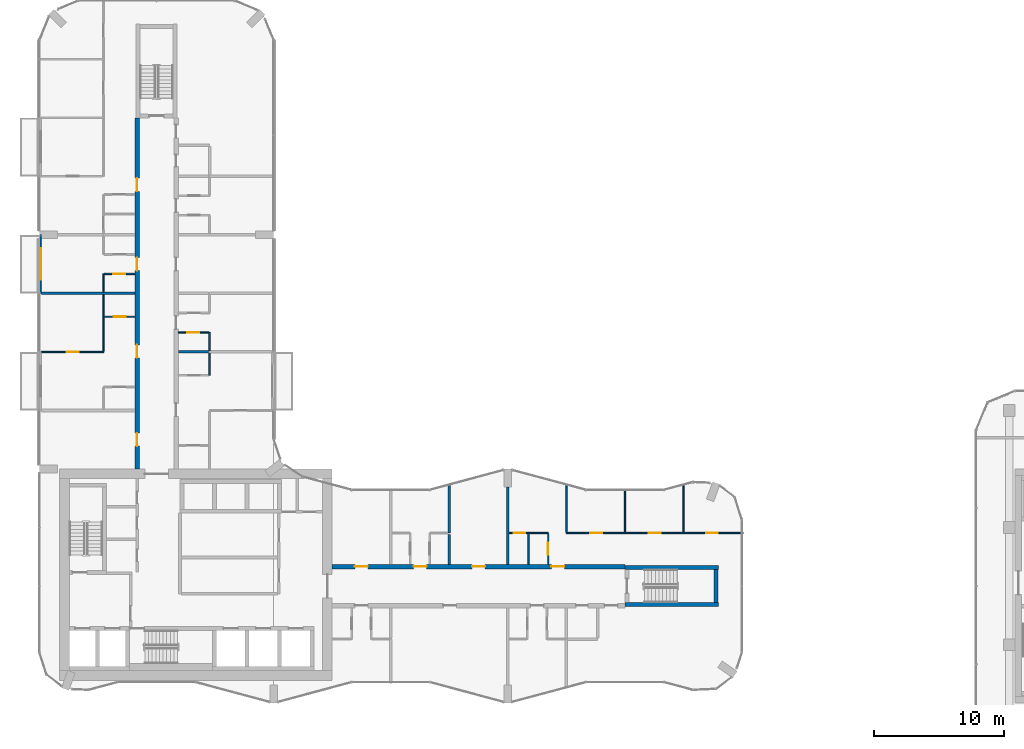
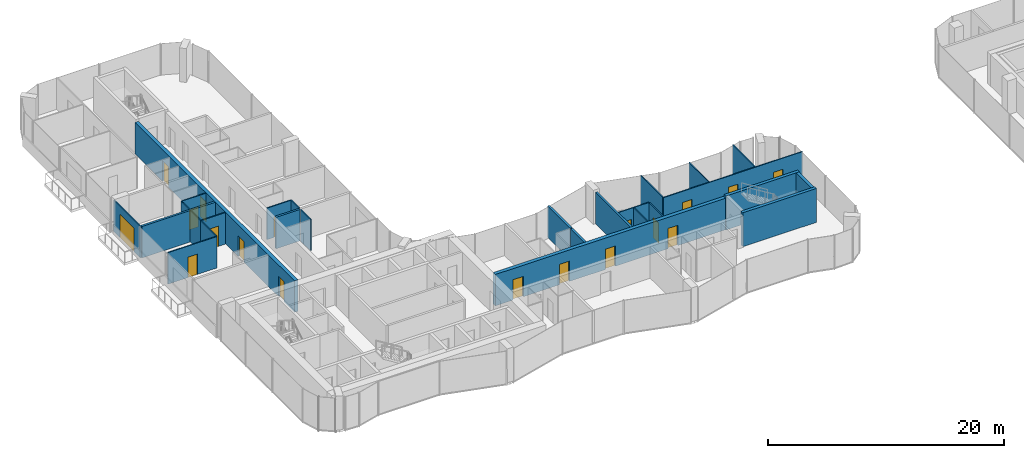
# One storey, part 15 of 22: 27 walls, 18 doors, 18 openings.
"""IFC4 building model written with IfcOpenShell, lengths in metres."""

from ifc_helpers import new_model, si_unit, direction, frame, frame_2d, origin, place, context, subcontext, project, spatial, rectangle, extrude, material, layer, layer_set, type_object, element, fill, save


model = new_model("IFC4")

# Units and contexts
model_context = context("Model", 3, precision=1e-05, world=origin(), true_north=direction((0.0, 1.0)))
body_context = subcontext(model_context, "Body", "Model", "MODEL_VIEW")
ifc_project = project(units=[si_unit("LENGTHUNIT", "METRE"), si_unit("AREAUNIT", "SQUARE_METRE"), si_unit("VOLUMEUNIT", "CUBIC_METRE"), si_unit("PLANEANGLEUNIT", "RADIAN"), si_unit("MASSUNIT", "GRAM", prefix="KILO")], contexts=[model_context])

# Site, building, storey
site_placement = place(None, origin())
site = spatial("IfcSite", under=ifc_project, at=site_placement, CompositionType="ELEMENT")
building_placement = place(site_placement, origin())
building = spatial("IfcBuilding", under=site, at=building_placement, Name="Plateau Cross Towers", CompositionType="ELEMENT")
storey_placement = place(building_placement, frame((0.0, 0.0, 58.300048828125)))
storey = spatial("IfcBuildingStorey", under=building, at=storey_placement, Name="L14", CompositionType="ELEMENT", Elevation=58.300048828125)

# Wall, opening, door
ifc_material_1 = material(Name="Aluminium framed glazing", Category="aluminium")
ifc_layer_1 = layer(ifc_material_1, 0.10009765625)
ifc_layer_set_1 = layer_set([ifc_layer_1], Name="Aluminium framed glazing")
wall_type_1 = type_object("IfcWallType", Name="Balcony screen wall 100", PredefinedType="STANDARD", material=ifc_layer_set_1)
wall_1_placement = place(storey_placement, frame((0.10009765625, 31.5, 0.0), z_axis=(0.0, 0.0, 1.0), x_axis=(0.0, 1.0, 0.0)))
wall_1 = element("IfcWall", 1, at=wall_1_placement, inside=storey, type_object=wall_type_1, Name="Balcony screen wall A-BAL-L14-02", PredefinedType="STANDARD", context=body_context, shape_type="SweptSolid", body=[
    extrude(rectangle(XDim=4.5, YDim=0.10009765625, at=frame_2d((2.25, 0.0))), origin(), (0.0, 0.0, 1.0), 3.25),
])
opening_1_placement = place(wall_1_placement, frame((1.050048828125, 0.0, 0.0)))
opening_1 = element("IfcOpeningElement", 2, at=opening_1_placement, cuts=wall_1, Name="Opening D-B24", PredefinedType="OPENING", context=body_context, shape_type="SweptSolid", body=[
    extrude(rectangle(XDim=2.39990234375, YDim=2.39990234375, at=frame_2d((1.199951171875, 1.199951171875))), frame((0.0, 0.06005859375, 0.0), z_axis=(0.0, -1.0, 0.0), x_axis=(1.0, 0.0, 0.0)), (0.0, 0.0, 1.0), 0.1201171875),
])
ifc_material_2 = material(Name="Aluminium frame, double glazing", Category="aluminium")
door_type_1 = type_object("IfcDoorType", Name="Balcony sliding door 2400", OperationType="NOTDEFINED", PredefinedType="DOOR", material=ifc_material_2)
door_1_placement = place(opening_1_placement, origin())
door_1 = element("IfcDoor", 3, at=door_1_placement, inside=storey, type_object=door_type_1, Name="Balcony door A-BAL-L14-02", OperationType="SINGLE_SWING_LEFT", OverallHeight=2.39990234375, OverallWidth=2.39990234375, PredefinedType="DOOR", context=body_context, shape_type="SweptSolid", body=[
    extrude(rectangle(XDim=2.39990234375, YDim=2.39990234375, at=frame_2d((1.199951171875, 1.199951171875))), frame((0.0, 0.02490234375, 0.0), z_axis=(0.0, -1.0, 0.0), x_axis=(1.0, 0.0, 0.0)), (0.0, 0.0, 1.0), 0.050048828125),
])
fill(opening_1, door_1)

# Wall, openings, doors
ifc_material_3 = material(Name="Concrete C60/75", Category="concrete")
ifc_layer_2 = layer(ifc_material_3, 0.35009765625)
ifc_layer_set_2 = layer_set([ifc_layer_2], Name="Concrete C60/75")
wall_type_2 = type_object("IfcWallType", Name="Corridor wall 350", PredefinedType="SHEAR", material=ifc_layer_set_2)
wall_2_placement = place(storey_placement, frame((22.5, 10.5, 0.0), z_axis=(0.0, 0.0, 1.0), x_axis=(1.0, 0.0, 0.0)))
wall_2 = element("IfcWall", 4, at=wall_2_placement, inside=storey, type_object=wall_type_2, Name="A-cw-S2@L14", PredefinedType="SHEAR", context=body_context, shape_type="SweptSolid", body=[
    extrude(rectangle(XDim=22.5, YDim=0.35009765625, at=frame_2d((11.25, 0.0))), origin(), (0.0, 0.0, 1.0), 3.25),
])
opening_2_placement = place(wall_2_placement, frame((1.75, 0.0, 0.0)))
opening_2 = element("IfcOpeningElement", 5, at=opening_2_placement, cuts=wall_2, Name="Opening 14-06", PredefinedType="OPENING", context=body_context, shape_type="SweptSolid", body=[
    extrude(rectangle(XDim=1.0, YDim=2.10009765625, at=frame_2d((0.5, 1.050048828125))), frame((0.0, 0.18505859375, 0.0), z_axis=(0.0, -1.0, 0.0), x_axis=(1.0, 0.0, 0.0)), (0.0, 0.0, 1.0), 0.3701171875),
])
opening_3_placement = place(wall_2_placement, frame((6.25, 0.0, 0.0)))
opening_3 = element("IfcOpeningElement", 6, at=opening_3_placement, cuts=wall_2, Name="Opening 14-07", PredefinedType="OPENING", context=body_context, shape_type="SweptSolid", body=[
    extrude(rectangle(XDim=1.0, YDim=2.10009765625, at=frame_2d((0.5, 1.050048828125))), frame((0.0, 0.18505859375, 0.0), z_axis=(0.0, -1.0, 0.0), x_axis=(1.0, 0.0, 0.0)), (0.0, 0.0, 1.0), 0.3701171875),
])
opening_4_placement = place(wall_2_placement, frame((10.75, 0.0, 0.0)))
opening_4 = element("IfcOpeningElement", 7, at=opening_4_placement, cuts=wall_2, Name="Opening 14-08", PredefinedType="OPENING", context=body_context, shape_type="SweptSolid", body=[
    extrude(rectangle(XDim=1.0, YDim=2.10009765625, at=frame_2d((0.5, 1.050048828125))), frame((0.0, 0.18505859375, 0.0), z_axis=(0.0, -1.0, 0.0), x_axis=(1.0, 0.0, 0.0)), (0.0, 0.0, 1.0), 0.3701171875),
])
opening_5_placement = place(wall_2_placement, frame((16.85009765625, 0.0, 0.0)))
opening_5 = element("IfcOpeningElement", 8, at=opening_5_placement, cuts=wall_2, Name="Opening 14-09", PredefinedType="OPENING", context=body_context, shape_type="SweptSolid", body=[
    extrude(rectangle(XDim=1.0, YDim=2.10009765625, at=frame_2d((0.5, 1.050048828125))), frame((0.0, 0.18505859375, 0.0), z_axis=(0.0, -1.0, 0.0), x_axis=(1.0, 0.0, 0.0)), (0.0, 0.0, 1.0), 0.3701171875),
])
ifc_material_4 = material(Name="Timber, fire-resisting leaf", Category="wood")
door_type_2 = type_object("IfcDoorType", Name="Flat entrance door 1000", OperationType="NOTDEFINED", PredefinedType="DOOR", material=ifc_material_4)
door_2_placement = place(opening_2_placement, origin())
door_2 = element("IfcDoor", 9, at=door_2_placement, inside=storey, type_object=door_type_2, Name="Door 14-06", OperationType="SINGLE_SWING_LEFT", OverallHeight=2.10009765625, OverallWidth=1.0, PredefinedType="DOOR", context=body_context, shape_type="SweptSolid", body=[
    extrude(rectangle(XDim=1.0, YDim=2.10009765625, at=frame_2d((0.5, 1.050048828125))), frame((0.0, 0.02490234375, 0.0), z_axis=(0.0, -1.0, 0.0), x_axis=(1.0, 0.0, 0.0)), (0.0, 0.0, 1.0), 0.050048828125),
])
fill(opening_2, door_2)
door_3_placement = place(opening_3_placement, origin())
door_3 = element("IfcDoor", 10, at=door_3_placement, inside=storey, type_object=door_type_2, Name="Door 14-07", OperationType="SINGLE_SWING_LEFT", OverallHeight=2.10009765625, OverallWidth=1.0, PredefinedType="DOOR", context=body_context, shape_type="SweptSolid", body=[
    extrude(rectangle(XDim=1.0, YDim=2.10009765625, at=frame_2d((0.5, 1.050048828125))), frame((0.0, 0.02490234375, 0.0), z_axis=(0.0, -1.0, 0.0), x_axis=(1.0, 0.0, 0.0)), (0.0, 0.0, 1.0), 0.050048828125),
])
fill(opening_3, door_3)
door_4_placement = place(opening_4_placement, origin())
door_4 = element("IfcDoor", 11, at=door_4_placement, inside=storey, type_object=door_type_2, Name="Door 14-08", OperationType="SINGLE_SWING_LEFT", OverallHeight=2.10009765625, OverallWidth=1.0, PredefinedType="DOOR", context=body_context, shape_type="SweptSolid", body=[
    extrude(rectangle(XDim=1.0, YDim=2.10009765625, at=frame_2d((0.5, 1.050048828125))), frame((0.0, 0.02490234375, 0.0), z_axis=(0.0, -1.0, 0.0), x_axis=(1.0, 0.0, 0.0)), (0.0, 0.0, 1.0), 0.050048828125),
])
fill(opening_4, door_4)
door_5_placement = place(opening_5_placement, origin())
door_5 = element("IfcDoor", 12, at=door_5_placement, inside=storey, type_object=door_type_2, Name="Door 14-09", OperationType="SINGLE_SWING_RIGHT", OverallHeight=2.10009765625, OverallWidth=1.0, PredefinedType="DOOR", context=body_context, shape_type="SweptSolid", body=[
    extrude(rectangle(XDim=1.0, YDim=2.10009765625, at=frame_2d((0.5, 1.050048828125))), frame((0.0, 0.02490234375, 0.0), z_axis=(0.0, -1.0, 0.0), x_axis=(1.0, 0.0, 0.0)), (0.0, 0.0, 1.0), 0.050048828125),
])
fill(opening_5, door_5)

wall_3_placement = place(storey_placement, frame((7.5, 18.0, 0.0), z_axis=(0.0, 0.0, 1.0), x_axis=(0.0, 1.0, 0.0)))
wall_3 = element("IfcWall", 13, at=wall_3_placement, inside=storey, type_object=wall_type_2, Name="A-cw-W1@L14", PredefinedType="SHEAR", context=body_context, shape_type="SweptSolid", body=[
    extrude(rectangle(XDim=27.0, YDim=0.35009765625, at=frame_2d((13.5, 0.0))), origin(), (0.0, 0.0, 1.0), 3.25),
])
opening_6_placement = place(wall_3_placement, frame((1.75, 0.0, 0.0)))
opening_6 = element("IfcOpeningElement", 14, at=opening_6_placement, cuts=wall_3, Name="Opening 14-10", PredefinedType="OPENING", context=body_context, shape_type="SweptSolid", body=[
    extrude(rectangle(XDim=1.0, YDim=2.10009765625, at=frame_2d((0.5, 1.050048828125))), frame((0.0, 0.18505859375, 0.0), z_axis=(0.0, -1.0, 0.0), x_axis=(1.0, 0.0, 0.0)), (0.0, 0.0, 1.0), 0.3701171875),
])
opening_7_placement = place(wall_3_placement, frame((8.550048828125, 0.0, 0.0)))
opening_7 = element("IfcOpeningElement", 15, at=opening_7_placement, cuts=wall_3, Name="Opening 14-11", PredefinedType="OPENING", context=body_context, shape_type="SweptSolid", body=[
    extrude(rectangle(XDim=1.0, YDim=2.10009765625, at=frame_2d((0.5, 1.050048828125))), frame((0.0, 0.18505859375, 0.0), z_axis=(0.0, -1.0, 0.0), x_axis=(1.0, 0.0, 0.0)), (0.0, 0.0, 1.0), 0.3701171875),
])
opening_8_placement = place(wall_3_placement, frame((15.25, 0.0, 0.0)))
opening_8 = element("IfcOpeningElement", 16, at=opening_8_placement, cuts=wall_3, Name="Opening 14-12", PredefinedType="OPENING", context=body_context, shape_type="SweptSolid", body=[
    extrude(rectangle(XDim=1.0, YDim=2.10009765625, at=frame_2d((0.5, 1.050048828125))), frame((0.0, 0.18505859375, 0.0), z_axis=(0.0, -1.0, 0.0), x_axis=(1.0, 0.0, 0.0)), (0.0, 0.0, 1.0), 0.3701171875),
])
opening_9_placement = place(wall_3_placement, frame((21.35009765625, 0.0, 0.0)))
opening_9 = element("IfcOpeningElement", 17, at=opening_9_placement, cuts=wall_3, Name="Opening 14-13", PredefinedType="OPENING", context=body_context, shape_type="SweptSolid", body=[
    extrude(rectangle(XDim=1.0, YDim=2.10009765625, at=frame_2d((0.5, 1.050048828125))), frame((0.0, 0.18505859375, 0.0), z_axis=(0.0, -1.0, 0.0), x_axis=(1.0, 0.0, 0.0)), (0.0, 0.0, 1.0), 0.3701171875),
])
door_6_placement = place(opening_6_placement, origin())
door_6 = element("IfcDoor", 18, at=door_6_placement, inside=storey, type_object=door_type_2, Name="Door 14-10", OperationType="SINGLE_SWING_LEFT", OverallHeight=2.10009765625, OverallWidth=1.0, PredefinedType="DOOR", context=body_context, shape_type="SweptSolid", body=[
    extrude(rectangle(XDim=1.0, YDim=2.10009765625, at=frame_2d((0.5, 1.050048828125))), frame((0.0, 0.02490234375, 0.0), z_axis=(0.0, -1.0, 0.0), x_axis=(1.0, 0.0, 0.0)), (0.0, 0.0, 1.0), 0.050048828125),
])
fill(opening_6, door_6)
door_7_placement = place(opening_7_placement, origin())
door_7 = element("IfcDoor", 19, at=door_7_placement, inside=storey, type_object=door_type_2, Name="Door 14-11", OperationType="SINGLE_SWING_LEFT", OverallHeight=2.10009765625, OverallWidth=1.0, PredefinedType="DOOR", context=body_context, shape_type="SweptSolid", body=[
    extrude(rectangle(XDim=1.0, YDim=2.10009765625, at=frame_2d((0.5, 1.050048828125))), frame((0.0, 0.02490234375, 0.0), z_axis=(0.0, -1.0, 0.0), x_axis=(1.0, 0.0, 0.0)), (0.0, 0.0, 1.0), 0.050048828125),
])
fill(opening_7, door_7)
door_8_placement = place(opening_8_placement, origin())
door_8 = element("IfcDoor", 20, at=door_8_placement, inside=storey, type_object=door_type_2, Name="Door 14-12", OperationType="SINGLE_SWING_RIGHT", OverallHeight=2.10009765625, OverallWidth=1.0, PredefinedType="DOOR", context=body_context, shape_type="SweptSolid", body=[
    extrude(rectangle(XDim=1.0, YDim=2.10009765625, at=frame_2d((0.5, 1.050048828125))), frame((0.0, 0.02490234375, 0.0), z_axis=(0.0, -1.0, 0.0), x_axis=(1.0, 0.0, 0.0)), (0.0, 0.0, 1.0), 0.050048828125),
])
fill(opening_8, door_8)
door_9_placement = place(opening_9_placement, origin())
door_9 = element("IfcDoor", 21, at=door_9_placement, inside=storey, type_object=door_type_2, Name="Door 14-13", OperationType="SINGLE_SWING_RIGHT", OverallHeight=2.10009765625, OverallWidth=1.0, PredefinedType="DOOR", context=body_context, shape_type="SweptSolid", body=[
    extrude(rectangle(XDim=1.0, YDim=2.10009765625, at=frame_2d((0.5, 1.050048828125))), frame((0.0, 0.02490234375, 0.0), z_axis=(0.0, -1.0, 0.0), x_axis=(1.0, 0.0, 0.0)), (0.0, 0.0, 1.0), 0.050048828125),
])
fill(opening_9, door_9)

# Wall, opening, door
ifc_material_5 = material(Name="Gypsum board on steel studs", Category="steel")
ifc_layer_3 = layer(ifc_material_5, 0.10009765625)
ifc_layer_set_3 = layer_set([ifc_layer_3], Name="Gypsum board on steel studs")
wall_type_3 = type_object("IfcWallType", Name="Flat partition 100", PredefinedType="PARTITIONING", material=ifc_layer_set_3)
wall_4_placement = place(storey_placement, frame((39.10009765625, 13.074951171875, 0.0), z_axis=(0.0, 0.0, 1.0), x_axis=(-1.0, 0.0, 0.0)))
wall_4 = element("IfcWall", 22, at=wall_4_placement, inside=storey, type_object=wall_type_3, Name="Partition wall", PredefinedType="PARTITIONING", context=body_context, shape_type="SweptSolid", body=[
    extrude(rectangle(XDim=3.0, YDim=0.10009765625, at=frame_2d((1.5, 0.0))), origin(), (0.0, 0.0, 1.0), 3.25),
])
opening_10_placement = place(wall_4_placement, frame((1.75, 0.0, 0.0)))
opening_10 = element("IfcOpeningElement", 23, at=opening_10_placement, cuts=wall_4, Name="Opening 14-26", PredefinedType="OPENING", context=body_context, shape_type="SweptSolid", body=[
    extrude(rectangle(XDim=0.89990234375, YDim=2.10009765625, at=frame_2d((0.449951171875, 1.050048828125))), frame((0.0, 0.06005859375, 0.0), z_axis=(0.0, -1.0, 0.0), x_axis=(1.0, 0.0, 0.0)), (0.0, 0.0, 1.0), 0.1201171875),
])
ifc_material_6 = material(Name="Timber leaf", Category="wood")
door_type_3 = type_object("IfcDoorType", Name="Flat room door 900", OperationType="NOTDEFINED", PredefinedType="DOOR", material=ifc_material_6)
door_10_placement = place(opening_10_placement, origin())
door_10 = element("IfcDoor", 24, at=door_10_placement, inside=storey, type_object=door_type_3, Name="Door 14-26", OperationType="SINGLE_SWING_RIGHT", OverallHeight=2.10009765625, OverallWidth=0.89990234375, PredefinedType="DOOR", context=body_context, shape_type="SweptSolid", body=[
    extrude(rectangle(XDim=0.89990234375, YDim=2.10009765625, at=frame_2d((0.449951171875, 1.050048828125))), frame((0.0, 0.02490234375, 0.0), z_axis=(0.0, -1.0, 0.0), x_axis=(1.0, 0.0, 0.0)), (0.0, 0.0, 1.0), 0.050048828125),
])
fill(opening_10, door_10)

# Wall, openings, doors
wall_5_placement = place(storey_placement, frame((40.5, 13.074951171875, 0.0), z_axis=(0.0, 0.0, 1.0), x_axis=(1.0, 0.0, 0.0)))
wall_5 = element("IfcWall", 25, at=wall_5_placement, inside=storey, type_object=wall_type_3, Name="Partition wall", PredefinedType="PARTITIONING", context=body_context, shape_type="SweptSolid", body=[
    extrude(rectangle(XDim=13.580078125, YDim=0.10009765625, at=frame_2d((6.7900390625, 0.0))), origin(), (0.0, 0.0, 1.0), 3.25),
])
opening_11_placement = place(wall_5_placement, frame((1.85009765625, 0.0, 0.0)))
opening_11 = element("IfcOpeningElement", 26, at=opening_11_placement, cuts=wall_5, Name="Opening 14-28", PredefinedType="OPENING", context=body_context, shape_type="SweptSolid", body=[
    extrude(rectangle(XDim=0.89990234375, YDim=2.10009765625, at=frame_2d((0.449951171875, 1.050048828125))), frame((0.0, 0.06005859375, 0.0), z_axis=(0.0, -1.0, 0.0), x_axis=(1.0, 0.0, 0.0)), (0.0, 0.0, 1.0), 0.1201171875),
])
opening_12_placement = place(wall_5_placement, frame((6.35009765625, 0.0, 0.0)))
opening_12 = element("IfcOpeningElement", 27, at=opening_12_placement, cuts=wall_5, Name="Opening 14-29", PredefinedType="OPENING", context=body_context, shape_type="SweptSolid", body=[
    extrude(rectangle(XDim=0.89990234375, YDim=2.10009765625, at=frame_2d((0.449951171875, 1.050048828125))), frame((0.0, 0.06005859375, 0.0), z_axis=(0.0, -1.0, 0.0), x_axis=(1.0, 0.0, 0.0)), (0.0, 0.0, 1.0), 0.1201171875),
])
opening_13_placement = place(wall_5_placement, frame((10.75, 0.0, 0.0)))
opening_13 = element("IfcOpeningElement", 28, at=opening_13_placement, cuts=wall_5, Name="Opening 14-30", PredefinedType="OPENING", context=body_context, shape_type="SweptSolid", body=[
    extrude(rectangle(XDim=0.89990234375, YDim=2.10009765625, at=frame_2d((0.449951171875, 1.050048828125))), frame((0.0, 0.06005859375, 0.0), z_axis=(0.0, -1.0, 0.0), x_axis=(1.0, 0.0, 0.0)), (0.0, 0.0, 1.0), 0.1201171875),
])
door_11_placement = place(opening_11_placement, origin())
door_11 = element("IfcDoor", 29, at=door_11_placement, inside=storey, type_object=door_type_3, Name="Door 14-28", OperationType="SINGLE_SWING_LEFT", OverallHeight=2.10009765625, OverallWidth=0.89990234375, PredefinedType="DOOR", context=body_context, shape_type="SweptSolid", body=[
    extrude(rectangle(XDim=0.89990234375, YDim=2.10009765625, at=frame_2d((0.449951171875, 1.050048828125))), frame((0.0, 0.02490234375, 0.0), z_axis=(0.0, -1.0, 0.0), x_axis=(1.0, 0.0, 0.0)), (0.0, 0.0, 1.0), 0.050048828125),
])
fill(opening_11, door_11)
door_12_placement = place(opening_12_placement, origin())
door_12 = element("IfcDoor", 30, at=door_12_placement, inside=storey, type_object=door_type_3, Name="Door 14-29", OperationType="SINGLE_SWING_RIGHT", OverallHeight=2.10009765625, OverallWidth=0.89990234375, PredefinedType="DOOR", context=body_context, shape_type="SweptSolid", body=[
    extrude(rectangle(XDim=0.89990234375, YDim=2.10009765625, at=frame_2d((0.449951171875, 1.050048828125))), frame((0.0, 0.02490234375, 0.0), z_axis=(0.0, -1.0, 0.0), x_axis=(1.0, 0.0, 0.0)), (0.0, 0.0, 1.0), 0.050048828125),
])
fill(opening_12, door_12)
door_13_placement = place(opening_13_placement, origin())
door_13 = element("IfcDoor", 31, at=door_13_placement, inside=storey, type_object=door_type_3, Name="Door 14-30", OperationType="SINGLE_SWING_RIGHT", OverallHeight=2.10009765625, OverallWidth=0.89990234375, PredefinedType="DOOR", context=body_context, shape_type="SweptSolid", body=[
    extrude(rectangle(XDim=0.89990234375, YDim=2.10009765625, at=frame_2d((0.449951171875, 1.050048828125))), frame((0.0, 0.02490234375, 0.0), z_axis=(0.0, -1.0, 0.0), x_axis=(1.0, 0.0, 0.0)), (0.0, 0.0, 1.0), 0.050048828125),
])
fill(opening_13, door_13)

# Wall, opening, door
wall_6_placement = place(storey_placement, frame((0.14990234375, 27.0, 0.0), z_axis=(0.0, 0.0, 1.0), x_axis=(1.0, 0.0, 0.0)))
wall_6 = element("IfcWall", 32, at=wall_6_placement, inside=storey, type_object=wall_type_3, Name="Partition wall", PredefinedType="PARTITIONING", context=body_context, shape_type="SweptSolid", body=[
    extrude(rectangle(XDim=4.775146484375, YDim=0.10009765625, at=frame_2d((2.3876953125, 0.0))), origin(), (0.0, 0.0, 1.0), 3.25),
])
opening_14_placement = place(wall_6_placement, frame((1.949951171875, 0.0, 0.0)))
opening_14 = element("IfcOpeningElement", 33, at=opening_14_placement, cuts=wall_6, Name="Opening 14-33", PredefinedType="OPENING", context=body_context, shape_type="SweptSolid", body=[
    extrude(rectangle(XDim=0.89990234375, YDim=2.10009765625, at=frame_2d((0.449951171875, 1.050048828125))), frame((0.0, 0.06005859375, 0.0), z_axis=(0.0, -1.0, 0.0), x_axis=(1.0, 0.0, 0.0)), (0.0, 0.0, 1.0), 0.1201171875),
])
door_14_placement = place(opening_14_placement, origin())
door_14 = element("IfcDoor", 34, at=door_14_placement, inside=storey, type_object=door_type_3, Name="Door 14-33", OperationType="SINGLE_SWING_RIGHT", OverallHeight=2.10009765625, OverallWidth=0.89990234375, PredefinedType="DOOR", context=body_context, shape_type="SweptSolid", body=[
    extrude(rectangle(XDim=0.89990234375, YDim=2.10009765625, at=frame_2d((0.449951171875, 1.050048828125))), frame((0.0, 0.02490234375, 0.0), z_axis=(0.0, -1.0, 0.0), x_axis=(1.0, 0.0, 0.0)), (0.0, 0.0, 1.0), 0.050048828125),
])
fill(opening_14, door_14)

wall_7_placement = place(storey_placement, frame((13.02490234375, 28.5, 0.0), z_axis=(0.0, 0.0, 1.0), x_axis=(-1.0, 0.0, 0.0)))
wall_7 = element("IfcWall", 35, at=wall_7_placement, inside=storey, type_object=wall_type_3, Name="Partition wall", PredefinedType="PARTITIONING", context=body_context, shape_type="SweptSolid", body=[
    extrude(rectangle(XDim=2.349853515625, YDim=0.10009765625, at=frame_2d((1.1748046875, 0.0))), origin(), (0.0, 0.0, 1.0), 3.25),
])
opening_15_placement = place(wall_7_placement, frame((0.75, 0.0, 0.0)))
opening_15 = element("IfcOpeningElement", 36, at=opening_15_placement, cuts=wall_7, Name="Opening 14-44", PredefinedType="OPENING", context=body_context, shape_type="SweptSolid", body=[
    extrude(rectangle(XDim=0.89990234375, YDim=2.10009765625, at=frame_2d((0.449951171875, 1.050048828125))), frame((0.0, 0.06005859375, 0.0), z_axis=(0.0, -1.0, 0.0), x_axis=(1.0, 0.0, 0.0)), (0.0, 0.0, 1.0), 0.1201171875),
])
door_15_placement = place(opening_15_placement, origin())
door_15 = element("IfcDoor", 37, at=door_15_placement, inside=storey, type_object=door_type_3, Name="Door 14-44", OperationType="SINGLE_SWING_RIGHT", OverallHeight=2.10009765625, OverallWidth=0.89990234375, PredefinedType="DOOR", context=body_context, shape_type="SweptSolid", body=[
    extrude(rectangle(XDim=0.89990234375, YDim=2.10009765625, at=frame_2d((0.449951171875, 1.050048828125))), frame((0.0, 0.02490234375, 0.0), z_axis=(0.0, -1.0, 0.0), x_axis=(1.0, 0.0, 0.0)), (0.0, 0.0, 1.0), 0.050048828125),
])
fill(opening_15, door_15)

wall_8_placement = place(storey_placement, frame((4.97509765625, 29.699951171875, 0.0), z_axis=(0.0, 0.0, 1.0), x_axis=(1.0, 0.0, 0.0)))
wall_8 = element("IfcWall", 38, at=wall_8_placement, inside=storey, type_object=wall_type_3, Name="Partition wall", PredefinedType="PARTITIONING", context=body_context, shape_type="SweptSolid", body=[
    extrude(rectangle(XDim=2.349853515625, YDim=0.10009765625, at=frame_2d((1.1748046875, 0.0))), origin(), (0.0, 0.0, 1.0), 3.25),
])
opening_16_placement = place(wall_8_placement, frame((0.75, 0.0, 0.0)))
opening_16 = element("IfcOpeningElement", 39, at=opening_16_placement, cuts=wall_8, Name="Opening 14-32", PredefinedType="OPENING", context=body_context, shape_type="SweptSolid", body=[
    extrude(rectangle(XDim=0.89990234375, YDim=2.10009765625, at=frame_2d((0.449951171875, 1.050048828125))), frame((0.0, 0.06005859375, 0.0), z_axis=(0.0, -1.0, 0.0), x_axis=(1.0, 0.0, 0.0)), (0.0, 0.0, 1.0), 0.1201171875),
])
door_16_placement = place(opening_16_placement, origin())
door_16 = element("IfcDoor", 40, at=door_16_placement, inside=storey, type_object=door_type_3, Name="Door 14-32", OperationType="SINGLE_SWING_RIGHT", OverallHeight=2.10009765625, OverallWidth=0.89990234375, PredefinedType="DOOR", context=body_context, shape_type="SweptSolid", body=[
    extrude(rectangle(XDim=0.89990234375, YDim=2.10009765625, at=frame_2d((0.449951171875, 1.050048828125))), frame((0.0, 0.02490234375, 0.0), z_axis=(0.0, -1.0, 0.0), x_axis=(1.0, 0.0, 0.0)), (0.0, 0.0, 1.0), 0.050048828125),
])
fill(opening_16, door_16)

wall_9_placement = place(storey_placement, frame((7.324951171875, 33.0, 0.0), z_axis=(0.0, 0.0, 1.0), x_axis=(-1.0, 0.0, 0.0)))
wall_9 = element("IfcWall", 41, at=wall_9_placement, inside=storey, type_object=wall_type_3, Name="Partition wall", PredefinedType="PARTITIONING", context=body_context, shape_type="SweptSolid", body=[
    extrude(rectangle(XDim=2.349853515625, YDim=0.10009765625, at=frame_2d((1.1748046875, 0.0))), origin(), (0.0, 0.0, 1.0), 3.25),
])
opening_17_placement = place(wall_9_placement, frame((0.75, 0.0, 0.0)))
opening_17 = element("IfcOpeningElement", 42, at=opening_17_placement, cuts=wall_9, Name="Opening 14-34", PredefinedType="OPENING", context=body_context, shape_type="SweptSolid", body=[
    extrude(rectangle(XDim=0.89990234375, YDim=2.10009765625, at=frame_2d((0.449951171875, 1.050048828125))), frame((0.0, 0.06005859375, 0.0), z_axis=(0.0, -1.0, 0.0), x_axis=(1.0, 0.0, 0.0)), (0.0, 0.0, 1.0), 0.1201171875),
])
door_17_placement = place(opening_17_placement, origin())
door_17 = element("IfcDoor", 43, at=door_17_placement, inside=storey, type_object=door_type_3, Name="Door 14-34", OperationType="SINGLE_SWING_RIGHT", OverallHeight=2.10009765625, OverallWidth=0.89990234375, PredefinedType="DOOR", context=body_context, shape_type="SweptSolid", body=[
    extrude(rectangle(XDim=0.89990234375, YDim=2.10009765625, at=frame_2d((0.449951171875, 1.050048828125))), frame((0.0, 0.02490234375, 0.0), z_axis=(0.0, -1.0, 0.0), x_axis=(1.0, 0.0, 0.0)), (0.0, 0.0, 1.0), 0.050048828125),
])
fill(opening_17, door_17)

# Walls
wall_10_placement = place(storey_placement, frame((4.925048828125, 31.39990234375, 0.0), z_axis=(0.0, 0.0, 1.0), x_axis=(0.0, -1.0, 0.0)))
element("IfcWall", 44, at=wall_10_placement, inside=storey, type_object=wall_type_3, Name="Partition wall", PredefinedType="PARTITIONING", context=body_context, shape_type="SweptSolid", body=[
    extrude(rectangle(XDim=1.699951171875, YDim=0.10009765625, at=frame_2d((0.85009765625, 0.0))), origin(), (0.0, 0.0, 1.0), 3.25),
])
wall_11_placement = place(storey_placement, frame((4.925048828125, 33.0, 0.0), z_axis=(0.0, 0.0, 1.0), x_axis=(0.0, -1.0, 0.0)))
element("IfcWall", 45, at=wall_11_placement, inside=storey, type_object=wall_type_3, Name="Partition wall", PredefinedType="PARTITIONING", context=body_context, shape_type="SweptSolid", body=[
    extrude(rectangle(XDim=1.39990234375, YDim=0.10009765625, at=frame_2d((0.699951171875, 0.0))), origin(), (0.0, 0.0, 1.0), 3.25),
])
wall_12_placement = place(storey_placement, frame((4.925048828125, 27.050048828125, 0.0), z_axis=(0.0, 0.0, 1.0), x_axis=(0.0, 1.0, 0.0)))
element("IfcWall", 46, at=wall_12_placement, inside=storey, type_object=wall_type_3, Name="Partition wall", PredefinedType="PARTITIONING", context=body_context, shape_type="SweptSolid", body=[
    extrude(rectangle(XDim=2.599853515625, YDim=0.10009765625, at=frame_2d((1.2998046875, 0.0))), origin(), (0.0, 0.0, 1.0), 3.25),
])
wall_13_placement = place(storey_placement, frame((13.074951171875, 25.199951171875, 0.0), z_axis=(0.0, 0.0, 1.0), x_axis=(0.0, 1.0, 0.0)))
element("IfcWall", 47, at=wall_13_placement, inside=storey, type_object=wall_type_3, Name="Partition wall", PredefinedType="PARTITIONING", context=body_context, shape_type="SweptSolid", body=[
    extrude(rectangle(XDim=1.699951171875, YDim=0.10009765625, at=frame_2d((0.85009765625, 0.0))), origin(), (0.0, 0.0, 1.0), 3.25),
])
wall_14_placement = place(storey_placement, frame((13.074951171875, 27.10009765625, 0.0), z_axis=(0.0, 0.0, 1.0), x_axis=(0.0, 1.0, 0.0)))
element("IfcWall", 48, at=wall_14_placement, inside=storey, type_object=wall_type_3, Name="Partition wall", PredefinedType="PARTITIONING", context=body_context, shape_type="SweptSolid", body=[
    extrude(rectangle(XDim=1.39990234375, YDim=0.10009765625, at=frame_2d((0.699951171875, 0.0))), origin(), (0.0, 0.0, 1.0), 3.25),
])
wall_15_placement = place(storey_placement, frame((37.60009765625, 10.675048828125, 0.0), z_axis=(0.0, 0.0, 1.0), x_axis=(0.0, 1.0, 0.0)))
element("IfcWall", 49, at=wall_15_placement, inside=storey, type_object=wall_type_3, Name="Partition wall", PredefinedType="PARTITIONING", context=body_context, shape_type="SweptSolid", body=[
    extrude(rectangle(XDim=2.349853515625, YDim=0.10009765625, at=frame_2d((1.1748046875, 0.0))), origin(), (0.0, 0.0, 1.0), 3.25),
])

# Wall, opening, door
wall_16_placement = place(storey_placement, frame((39.10009765625, 10.675048828125, 0.0), z_axis=(0.0, 0.0, 1.0), x_axis=(0.0, 1.0, 0.0)))
wall_16 = element("IfcWall", 50, at=wall_16_placement, inside=storey, type_object=wall_type_3, Name="Partition wall", PredefinedType="PARTITIONING", context=body_context, shape_type="SweptSolid", body=[
    extrude(rectangle(XDim=2.349853515625, YDim=0.10009765625, at=frame_2d((1.1748046875, 0.0))), origin(), (0.0, 0.0, 1.0), 3.25),
])
opening_18_placement = place(wall_16_placement, frame((0.75, 0.0, 0.0)))
opening_18 = element("IfcOpeningElement", 51, at=opening_18_placement, cuts=wall_16, Name="Opening 14-27", PredefinedType="OPENING", context=body_context, shape_type="SweptSolid", body=[
    extrude(rectangle(XDim=0.89990234375, YDim=2.10009765625, at=frame_2d((0.449951171875, 1.050048828125))), frame((0.0, 0.06005859375, 0.0), z_axis=(0.0, -1.0, 0.0), x_axis=(1.0, 0.0, 0.0)), (0.0, 0.0, 1.0), 0.1201171875),
])
door_18_placement = place(opening_18_placement, origin())
door_18 = element("IfcDoor", 52, at=door_18_placement, inside=storey, type_object=door_type_3, Name="Door 14-27", OperationType="SINGLE_SWING_RIGHT", OverallHeight=2.10009765625, OverallWidth=0.89990234375, PredefinedType="DOOR", context=body_context, shape_type="SweptSolid", body=[
    extrude(rectangle(XDim=0.89990234375, YDim=2.10009765625, at=frame_2d((0.449951171875, 1.050048828125))), frame((0.0, 0.02490234375, 0.0), z_axis=(0.0, -1.0, 0.0), x_axis=(1.0, 0.0, 0.0)), (0.0, 0.0, 1.0), 0.050048828125),
])
fill(opening_18, door_18)

# Walls
wall_17_placement = place(storey_placement, frame((40.5, 16.877685546875, 0.0), z_axis=(0.0, 0.0, 1.0), x_axis=(0.0, -1.0, 0.0)))
element("IfcWall", 53, at=wall_17_placement, inside=storey, type_object=wall_type_3, Name="Partition wall", PredefinedType="PARTITIONING", context=body_context, shape_type="SweptSolid", body=[
    extrude(rectangle(XDim=3.752685546875, YDim=0.10009765625, at=frame_2d((1.87646484375, 0.0))), origin(), (0.0, 0.0, 1.0), 3.25),
])
wall_18_placement = place(storey_placement, frame((45.0, 13.125, 0.0), z_axis=(0.0, 0.0, 1.0), x_axis=(0.0, 1.0, 0.0)))
element("IfcWall", 54, at=wall_18_placement, inside=storey, type_object=wall_type_3, Name="Partition wall", PredefinedType="PARTITIONING", context=body_context, shape_type="SweptSolid", body=[
    extrude(rectangle(XDim=3.34814453125, YDim=0.10009765625, at=frame_2d((1.674072265625, 0.0))), origin(), (0.0, 0.0, 1.0), 3.25),
])
wall_19_placement = place(storey_placement, frame((49.5, 13.125, 0.0), z_axis=(0.0, 0.0, 1.0), x_axis=(0.0, 1.0, 0.0)))
element("IfcWall", 55, at=wall_19_placement, inside=storey, type_object=wall_type_3, Name="Partition wall", PredefinedType="PARTITIONING", context=body_context, shape_type="SweptSolid", body=[
    extrude(rectangle(XDim=3.752685546875, YDim=0.10009765625, at=frame_2d((1.87646484375, 0.0))), origin(), (0.0, 0.0, 1.0), 3.25),
])
ifc_material_7 = material(Name="Gypsum board on steel studs, two layers each side", Category="steel")
ifc_layer_4 = layer(ifc_material_7, 0.199951171875)
ifc_layer_set_4 = layer_set([ifc_layer_4], Name="Gypsum board on steel studs, two layers each side")
wall_type_4 = type_object("IfcWallType", Name="Flat party wall 200", PredefinedType="PARTITIONING", material=ifc_layer_set_4)
wall_20_placement = place(storey_placement, frame((12.97509765625, 27.0, 0.0), z_axis=(0.0, 0.0, 1.0), x_axis=(-1.0, 0.0, 0.0)))
element("IfcWall", 56, at=wall_20_placement, inside=storey, type_object=wall_type_4, Name="Party wall", PredefinedType="PARTITIONING", context=body_context, shape_type="SweptSolid", body=[
    extrude(rectangle(XDim=2.300048828125, YDim=0.199951171875, at=frame_2d((1.14990234375, 0.0))), origin(), (0.0, 0.0, 1.0), 3.25),
])
wall_21_placement = place(storey_placement, frame((7.324951171875, 31.5, 0.0), z_axis=(0.0, 0.0, 1.0), x_axis=(-1.0, 0.0, 0.0)))
element("IfcWall", 57, at=wall_21_placement, inside=storey, type_object=wall_type_4, Name="Party wall", PredefinedType="PARTITIONING", context=body_context, shape_type="SweptSolid", body=[
    extrude(rectangle(XDim=7.175048828125, YDim=0.199951171875, at=frame_2d((3.58740234375, 0.0))), origin(), (0.0, 0.0, 1.0), 3.25),
])
wall_22_placement = place(storey_placement, frame((31.5, 16.877685546875, 0.0), z_axis=(0.0, 0.0, 1.0), x_axis=(0.0, -1.0, 0.0)))
element("IfcWall", 58, at=wall_22_placement, inside=storey, type_object=wall_type_4, Name="Party wall", PredefinedType="PARTITIONING", context=body_context, shape_type="SweptSolid", body=[
    extrude(rectangle(XDim=3.802734375, YDim=0.199951171875, at=frame_2d((1.9013671875, 0.0))), origin(), (0.0, 0.0, 1.0), 3.25),
])
wall_23_placement = place(storey_placement, frame((31.5, 10.675048828125, 0.0), z_axis=(0.0, 0.0, 1.0), x_axis=(0.0, 1.0, 0.0)))
element("IfcWall", 59, at=wall_23_placement, inside=storey, type_object=wall_type_4, Name="Party wall", PredefinedType="PARTITIONING", context=body_context, shape_type="SweptSolid", body=[
    extrude(rectangle(XDim=2.300048828125, YDim=0.199951171875, at=frame_2d((1.14990234375, 0.0))), origin(), (0.0, 0.0, 1.0), 3.25),
])
wall_24_placement = place(storey_placement, frame((36.0, 10.675048828125, 0.0), z_axis=(0.0, 0.0, 1.0), x_axis=(0.0, 1.0, 0.0)))
element("IfcWall", 60, at=wall_24_placement, inside=storey, type_object=wall_type_4, Name="Party wall", PredefinedType="PARTITIONING", context=body_context, shape_type="SweptSolid", body=[
    extrude(rectangle(XDim=5.925048828125, YDim=0.199951171875, at=frame_2d((2.96240234375, 0.0))), origin(), (0.0, 0.0, 1.0), 3.25),
])
ifc_layer_5 = layer(ifc_material_3, 0.300048828125)
ifc_layer_set_5 = layer_set([ifc_layer_5], Name="Concrete C60/75")
wall_type_5 = type_object("IfcWallType", Name="Stair tower wall 300", PredefinedType="SHEAR", material=ifc_layer_set_5)
wall_25_placement = place(storey_placement, frame((52.0, 7.72509765625, 0.0), z_axis=(0.0, 0.0, 1.0), x_axis=(0.0, 1.0, 0.0)))
element("IfcWall", 61, at=wall_25_placement, inside=storey, type_object=wall_type_5, Name="A-end-E-E@L14", PredefinedType="SHEAR", context=body_context, shape_type="SweptSolid", body=[
    extrude(rectangle(XDim=2.5498046875, YDim=0.300048828125, at=frame_2d((1.27490234375, 0.0))), origin(), (0.0, 0.0, 1.0), 3.5),
])
for number, where, z_axis, x_axis, name in (
    (62, (45.0, 7.574951171875, 0.0), (0.0, 0.0, 1.0), (1.0, 0.0, 0.0), "A-end-E-S@L14"),
    (63, (45.0, 10.425048828125, 0.0), (0.0, 0.0, 1.0), (1.0, 0.0, 0.0), "A-end-E-N@L14"),
):
    element("IfcWall", number, at=place(storey_placement, frame(where, z_axis=z_axis, x_axis=x_axis)), inside=storey, type_object=wall_type_5, Name=name, PredefinedType="SHEAR", context=body_context, shape_type="SweptSolid", body=[
        extrude(rectangle(XDim=7.199951171875, YDim=0.300048828125, at=frame_2d((3.60009765625, 0.0))), origin(), (0.0, 0.0, 1.0), 3.5),
    ])

save(model, "model.ifc")
